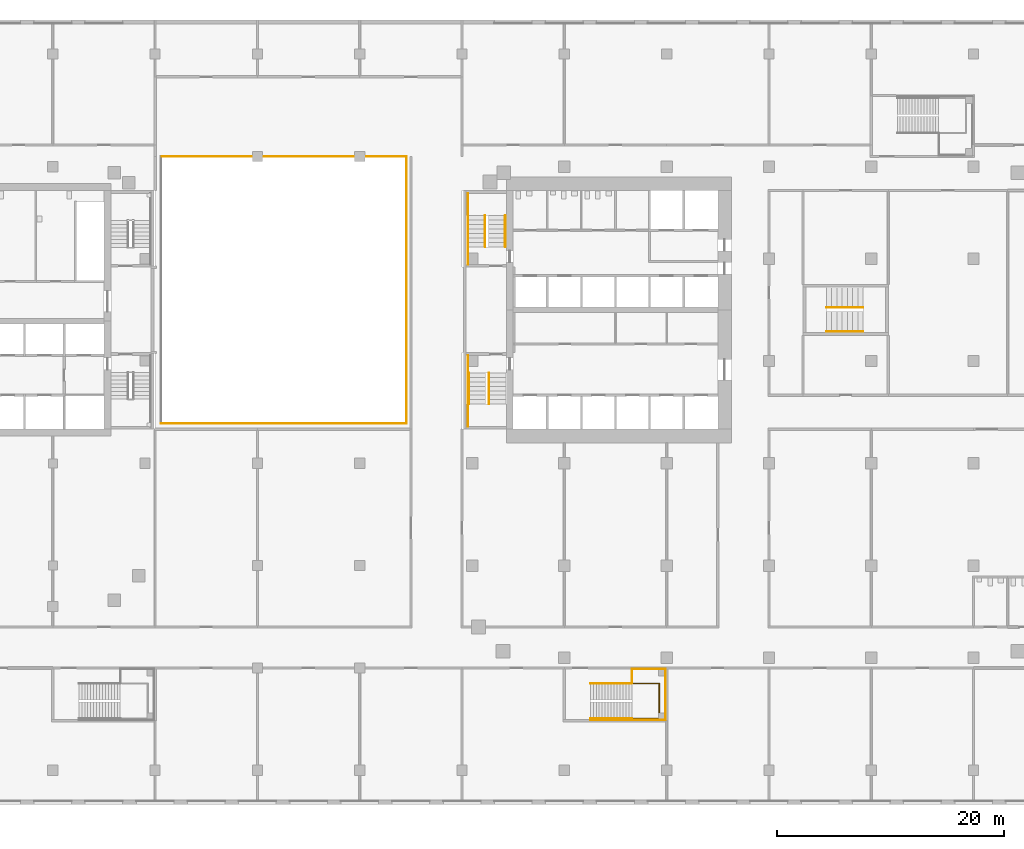
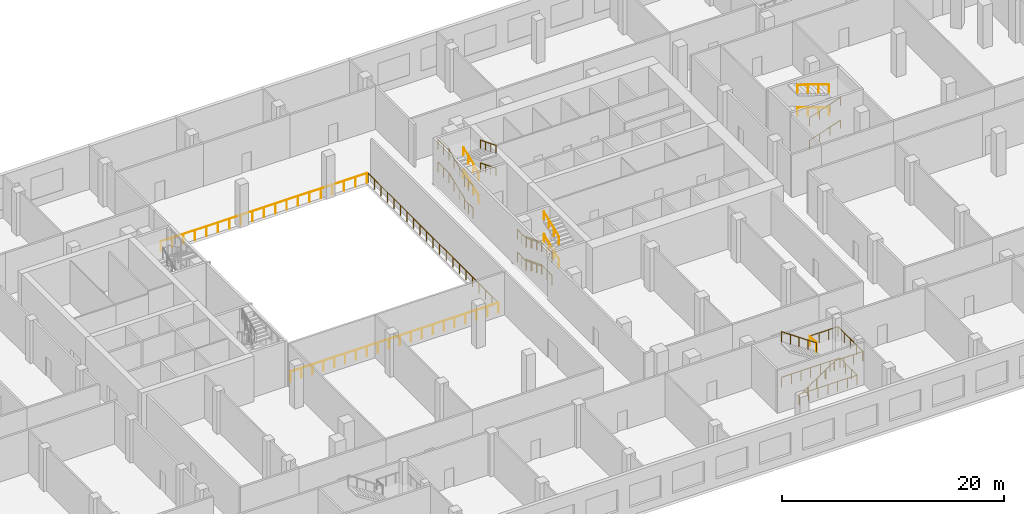
# One storey, part 19 of 21: 25 railings, 3 elements without a shape of their own.
"""IFC4 building model written with IfcOpenShell, lengths in metres."""

from ifc_helpers import new_model, si_unit, direction, frame, origin, origin_2d, place, context, subcontext, project, spatial, circle, extrude, material, type_object, element, aggregate, save


model = new_model("IFC4")

# Units and contexts
model_context = context("Model", 3, precision=1e-05, world=origin(), true_north=direction((0.0, 1.0)))
body_context = subcontext(model_context, "Body", "Model", "MODEL_VIEW")
ifc_project = project(units=[si_unit("LENGTHUNIT", "METRE"), si_unit("AREAUNIT", "SQUARE_METRE"), si_unit("VOLUMEUNIT", "CUBIC_METRE"), si_unit("PLANEANGLEUNIT", "RADIAN"), si_unit("MASSUNIT", "GRAM", prefix="KILO")], contexts=[model_context])

# Site, building, storey
site_placement = place(None, origin())
site = spatial("IfcSite", under=ifc_project, at=site_placement, CompositionType="ELEMENT")
building_placement = place(site_placement, origin())
building = spatial("IfcBuilding", under=site, at=building_placement, Name="Cinnabar Reach Civic Tower", CompositionType="ELEMENT")
storey_placement = place(building_placement, frame((0.0, 0.0, 16.0)))
storey = spatial("IfcBuildingStorey", under=building, at=storey_placement, Name="L03", CompositionType="ELEMENT", Elevation=16.0)

# Railings
ifc_material_1 = material(Name="Stainless steel and glass", Category="steel")
railing_type_1 = type_object("IfcRailingType", Name="Podium guard 1100", PredefinedType="GUARDRAIL", material=ifc_material_1)
railing_1_placement = place(storey_placement, frame((14.94, -1.35, 2.5)))
element("IfcRailing", 1, at=railing_1_placement, inside=storey, type_object=railing_type_1, Name="Stair guard PS3 L03", PredefinedType="GUARDRAIL", context=body_context, shape_type="SweptSolid", body=[
    extrude(circle(Radius=0.024, at=origin_2d()), frame((0.0, 0.0, 1.076), z_axis=(-0.824306135323, 0.0, 0.566144323711), x_axis=(0.0, -1.0, 0.0)), (0.0, 0.0, 1.0), 4.4158),
    extrude(circle(Radius=0.021, at=origin_2d()), origin(), (0.0, 0.0, 1.0), 1.052),
    extrude(circle(Radius=0.021, at=origin_2d()), frame((-0.91, 0.0, 0.625)), (0.0, 0.0, 1.0), 1.052),
    extrude(circle(Radius=0.021, at=origin_2d()), frame((-1.82, 0.0, 1.25)), (0.0, 0.0, 1.0), 1.052),
    extrude(circle(Radius=0.021, at=origin_2d()), frame((-2.73, 0.0, 1.875)), (0.0, 0.0, 1.0), 1.052),
    extrude(circle(Radius=0.021, at=origin_2d()), frame((-3.64, 0.0, 2.5)), (0.0, 0.0, 1.0), 1.052),
])
railing_2_placement = place(storey_placement, frame((14.94, -0.1, 2.5)))
element("IfcRailing", 2, at=railing_2_placement, inside=storey, type_object=railing_type_1, Name="Landing guard PS3 L03", PredefinedType="GUARDRAIL", context=body_context, shape_type="SweptSolid", body=[
    extrude(circle(Radius=0.024, at=origin_2d()), frame((0.0, 0.0, 1.076), z_axis=(1.0, 0.0, 0.0), x_axis=(0.0, 1.0, 0.0)), (0.0, 0.0, 1.0), 2.96),
    extrude(circle(Radius=0.024, at=origin_2d()), frame((2.96, 0.0, 1.076), z_axis=(0.0, -1.0, 0.0), x_axis=(1.0, 0.0, 0.0)), (0.0, 0.0, 1.0), 4.4),
    extrude(circle(Radius=0.021, at=origin_2d()), origin(), (0.0, 0.0, 1.0), 1.052),
    extrude(circle(Radius=0.021, at=origin_2d()), frame((0.9867, 0.0, 0.0)), (0.0, 0.0, 1.0), 1.052),
    extrude(circle(Radius=0.021, at=origin_2d()), frame((1.9733, 0.0, 0.0)), (0.0, 0.0, 1.0), 1.052),
    extrude(circle(Radius=0.021, at=origin_2d()), frame((2.96, 0.0, 0.0)), (0.0, 0.0, 1.0), 1.052),
    extrude(circle(Radius=0.021, at=origin_2d()), frame((2.96, -1.1, 0.0)), (0.0, 0.0, 1.0), 1.052),
    extrude(circle(Radius=0.021, at=origin_2d()), frame((2.96, -2.2, 0.0)), (0.0, 0.0, 1.0), 1.052),
    extrude(circle(Radius=0.021, at=origin_2d()), frame((2.96, -3.3, 0.0)), (0.0, 0.0, 1.0), 1.052),
    extrude(circle(Radius=0.021, at=origin_2d()), frame((2.96, -4.4, 0.0)), (0.0, 0.0, 1.0), 1.052),
])
railing_3_placement = place(storey_placement, frame((14.94, -1.3, 2.5)))
element("IfcRailing", 3, at=railing_3_placement, inside=storey, type_object=railing_type_1, Name="Landing guard PS3 L03 inner", PredefinedType="GUARDRAIL", context=body_context, shape_type="SweptSolid", body=[
    extrude(circle(Radius=0.024, at=origin_2d()), frame((0.0, 0.0, 1.076), z_axis=(0.0, 1.0, 0.0), x_axis=(-1.0, 0.0, 0.0)), (0.0, 0.0, 1.0), 1.2),
    extrude(circle(Radius=0.021, at=origin_2d()), origin(), (0.0, 0.0, 1.0), 1.052),
    extrude(circle(Radius=0.021, at=origin_2d()), frame((0.0, 1.2, 0.0)), (0.0, 0.0, 1.0), 1.052),
])
railing_4_placement = place(storey_placement, frame((11.3, -4.6, 0.0)))
element("IfcRailing", 4, at=railing_4_placement, inside=storey, type_object=railing_type_1, Name="Stair wall side guard PS3 L03", PredefinedType="GUARDRAIL", context=body_context, shape_type="SweptSolid", body=[
    extrude(circle(Radius=0.024, at=origin_2d()), frame((0.0, 0.0, 1.076), z_axis=(0.824306135323, 0.0, 0.566144323711), x_axis=(0.0, 1.0, 0.0)), (0.0, 0.0, 1.0), 4.4158),
    extrude(circle(Radius=0.024, at=origin_2d()), frame((3.64, 0.0, 3.576), z_axis=(1.0, 0.0, 0.0), x_axis=(0.0, 1.0, 0.0)), (0.0, 0.0, 1.0), 2.96),
    extrude(circle(Radius=0.021, at=origin_2d()), origin(), (0.0, 0.0, 1.0), 1.052),
    extrude(circle(Radius=0.021, at=origin_2d()), frame((0.91, 0.0, 0.625)), (0.0, 0.0, 1.0), 1.052),
    extrude(circle(Radius=0.021, at=origin_2d()), frame((1.82, 0.0, 1.25)), (0.0, 0.0, 1.0), 1.052),
    extrude(circle(Radius=0.021, at=origin_2d()), frame((2.73, 0.0, 1.875)), (0.0, 0.0, 1.0), 1.052),
    extrude(circle(Radius=0.021, at=origin_2d()), frame((3.64, 0.0, 2.5)), (0.0, 0.0, 1.0), 1.052),
    extrude(circle(Radius=0.021, at=origin_2d()), frame((4.6267, 0.0, 2.5)), (0.0, 0.0, 1.0), 1.052),
    extrude(circle(Radius=0.021, at=origin_2d()), frame((5.6133, 0.0, 2.5)), (0.0, 0.0, 1.0), 1.052),
    extrude(circle(Radius=0.021, at=origin_2d()), frame((6.6, 0.0, 2.5)), (0.0, 0.0, 1.0), 1.052),
])
railing_5_placement = place(storey_placement, frame((11.3, -4.45, 0.0)))
element("IfcRailing", 5, at=railing_5_placement, inside=storey, type_object=railing_type_1, Name="Stair well guard PS3 L03", PredefinedType="GUARDRAIL", context=body_context, shape_type="SweptSolid", body=[
    extrude(circle(Radius=0.024, at=origin_2d()), frame((0.0, 0.0, 1.076), z_axis=(1.0, 0.0, 0.0), x_axis=(0.0, 1.0, 0.0)), (0.0, 0.0, 1.0), 6.05),
    extrude(circle(Radius=0.024, at=origin_2d()), frame((6.05, 0.0, 1.076), z_axis=(0.0, 1.0, 0.0), x_axis=(-1.0, 0.0, 0.0)), (0.0, 0.0, 1.0), 3.1),
    extrude(circle(Radius=0.024, at=origin_2d()), frame((6.05, 3.1, 1.076), z_axis=(-1.0, 0.0, 0.0), x_axis=(0.0, -1.0, 0.0)), (0.0, 0.0, 1.0), 6.05),
    extrude(circle(Radius=0.021, at=origin_2d()), origin(), (0.0, 0.0, 1.0), 1.052),
    extrude(circle(Radius=0.021, at=origin_2d()), frame((1.0083, 0.0, 0.0)), (0.0, 0.0, 1.0), 1.052),
    extrude(circle(Radius=0.021, at=origin_2d()), frame((2.0167, 0.0, 0.0)), (0.0, 0.0, 1.0), 1.052),
    extrude(circle(Radius=0.021, at=origin_2d()), frame((3.025, 0.0, 0.0)), (0.0, 0.0, 1.0), 1.052),
    extrude(circle(Radius=0.021, at=origin_2d()), frame((4.0333, 0.0, 0.0)), (0.0, 0.0, 1.0), 1.052),
    extrude(circle(Radius=0.021, at=origin_2d()), frame((5.0417, 0.0, 0.0)), (0.0, 0.0, 1.0), 1.052),
    extrude(circle(Radius=0.021, at=origin_2d()), frame((6.05, 0.0, 0.0)), (0.0, 0.0, 1.0), 1.052),
    extrude(circle(Radius=0.021, at=origin_2d()), frame((6.05, 1.0333, 0.0)), (0.0, 0.0, 1.0), 1.052),
    extrude(circle(Radius=0.021, at=origin_2d()), frame((6.05, 2.0667, 0.0)), (0.0, 0.0, 1.0), 1.052),
    extrude(circle(Radius=0.021, at=origin_2d()), frame((6.05, 3.1, 0.0)), (0.0, 0.0, 1.0), 1.052),
    extrude(circle(Radius=0.021, at=origin_2d()), frame((5.0417, 3.1, 0.0)), (0.0, 0.0, 1.0), 1.052),
    extrude(circle(Radius=0.021, at=origin_2d()), frame((4.0333, 3.1, 0.0)), (0.0, 0.0, 1.0), 1.052),
    extrude(circle(Radius=0.021, at=origin_2d()), frame((3.025, 3.1, 0.0)), (0.0, 0.0, 1.0), 1.052),
    extrude(circle(Radius=0.021, at=origin_2d()), frame((2.0167, 3.1, 0.0)), (0.0, 0.0, 1.0), 1.052),
    extrude(circle(Radius=0.021, at=origin_2d()), frame((1.0083, 3.1, 0.0)), (0.0, 0.0, 1.0), 1.052),
    extrude(circle(Radius=0.021, at=origin_2d()), frame((0.0, 3.1, 0.0)), (0.0, 0.0, 1.0), 1.052),
])
railing_6_placement = place(storey_placement, frame((-26.4, 45.0, 0.0)))
element("IfcRailing", 6, at=railing_6_placement, inside=storey, type_object=railing_type_1, Name="Guard L03-chamber-edge", PredefinedType="GUARDRAIL", context=body_context, shape_type="SweptSolid", body=[
    extrude(circle(Radius=0.024, at=origin_2d()), frame((0.0, 0.0, 1.076), z_axis=(1.0, 0.0, 0.0), x_axis=(0.0, 1.0, 0.0)), (0.0, 0.0, 1.0), 21.4),
    extrude(circle(Radius=0.021, at=origin_2d()), origin(), (0.0, 0.0, 1.0), 1.052),
    extrude(circle(Radius=0.021, at=origin_2d()), frame((1.1889, 0.0, 0.0)), (0.0, 0.0, 1.0), 1.052),
    extrude(circle(Radius=0.021, at=origin_2d()), frame((2.3778, 0.0, 0.0)), (0.0, 0.0, 1.0), 1.052),
    extrude(circle(Radius=0.021, at=origin_2d()), frame((3.5667, 0.0, 0.0)), (0.0, 0.0, 1.0), 1.052),
    extrude(circle(Radius=0.021, at=origin_2d()), frame((4.7556, 0.0, 0.0)), (0.0, 0.0, 1.0), 1.052),
    extrude(circle(Radius=0.021, at=origin_2d()), frame((5.9444, 0.0, 0.0)), (0.0, 0.0, 1.0), 1.052),
    extrude(circle(Radius=0.021, at=origin_2d()), frame((7.1333, 0.0, 0.0)), (0.0, 0.0, 1.0), 1.052),
    extrude(circle(Radius=0.021, at=origin_2d()), frame((8.3222, 0.0, 0.0)), (0.0, 0.0, 1.0), 1.052),
    extrude(circle(Radius=0.021, at=origin_2d()), frame((9.5111, 0.0, 0.0)), (0.0, 0.0, 1.0), 1.052),
    extrude(circle(Radius=0.021, at=origin_2d()), frame((10.7, 0.0, 0.0)), (0.0, 0.0, 1.0), 1.052),
    extrude(circle(Radius=0.021, at=origin_2d()), frame((11.8889, 0.0, 0.0)), (0.0, 0.0, 1.0), 1.052),
    extrude(circle(Radius=0.021, at=origin_2d()), frame((13.0778, 0.0, 0.0)), (0.0, 0.0, 1.0), 1.052),
    extrude(circle(Radius=0.021, at=origin_2d()), frame((14.2667, 0.0, 0.0)), (0.0, 0.0, 1.0), 1.052),
    extrude(circle(Radius=0.021, at=origin_2d()), frame((15.4556, 0.0, 0.0)), (0.0, 0.0, 1.0), 1.052),
    extrude(circle(Radius=0.021, at=origin_2d()), frame((16.6444, 0.0, 0.0)), (0.0, 0.0, 1.0), 1.052),
    extrude(circle(Radius=0.021, at=origin_2d()), frame((17.8333, 0.0, 0.0)), (0.0, 0.0, 1.0), 1.052),
    extrude(circle(Radius=0.021, at=origin_2d()), frame((19.0222, 0.0, 0.0)), (0.0, 0.0, 1.0), 1.052),
    extrude(circle(Radius=0.021, at=origin_2d()), frame((20.2111, 0.0, 0.0)), (0.0, 0.0, 1.0), 1.052),
    extrude(circle(Radius=0.021, at=origin_2d()), frame((21.4, 0.0, 0.0)), (0.0, 0.0, 1.0), 1.052),
])
railing_7_placement = place(storey_placement, frame((-26.5, 21.5, 0.0)))
element("IfcRailing", 7, at=railing_7_placement, inside=storey, type_object=railing_type_1, Name="Opening guard L03 cv-s", PredefinedType="GUARDRAIL", context=body_context, shape_type="SweptSolid", body=[
    extrude(circle(Radius=0.024, at=origin_2d()), frame((0.0, 0.0, 1.076), z_axis=(1.0, 0.0, 0.0), x_axis=(0.0, 1.0, 0.0)), (0.0, 0.0, 1.0), 21.6),
    extrude(circle(Radius=0.021, at=origin_2d()), origin(), (0.0, 0.0, 1.0), 1.052),
    extrude(circle(Radius=0.021, at=origin_2d()), frame((1.1368, 0.0, 0.0)), (0.0, 0.0, 1.0), 1.052),
    extrude(circle(Radius=0.021, at=origin_2d()), frame((2.2737, 0.0, 0.0)), (0.0, 0.0, 1.0), 1.052),
    extrude(circle(Radius=0.021, at=origin_2d()), frame((3.4105, 0.0, 0.0)), (0.0, 0.0, 1.0), 1.052),
    extrude(circle(Radius=0.021, at=origin_2d()), frame((4.5474, 0.0, 0.0)), (0.0, 0.0, 1.0), 1.052),
    extrude(circle(Radius=0.021, at=origin_2d()), frame((5.6842, 0.0, 0.0)), (0.0, 0.0, 1.0), 1.052),
    extrude(circle(Radius=0.021, at=origin_2d()), frame((6.8211, 0.0, 0.0)), (0.0, 0.0, 1.0), 1.052),
    extrude(circle(Radius=0.021, at=origin_2d()), frame((7.9579, 0.0, 0.0)), (0.0, 0.0, 1.0), 1.052),
    extrude(circle(Radius=0.021, at=origin_2d()), frame((9.0947, 0.0, 0.0)), (0.0, 0.0, 1.0), 1.052),
    extrude(circle(Radius=0.021, at=origin_2d()), frame((10.2316, 0.0, 0.0)), (0.0, 0.0, 1.0), 1.052),
    extrude(circle(Radius=0.021, at=origin_2d()), frame((11.3684, 0.0, 0.0)), (0.0, 0.0, 1.0), 1.052),
    extrude(circle(Radius=0.021, at=origin_2d()), frame((12.5053, 0.0, 0.0)), (0.0, 0.0, 1.0), 1.052),
    extrude(circle(Radius=0.021, at=origin_2d()), frame((13.6421, 0.0, 0.0)), (0.0, 0.0, 1.0), 1.052),
    extrude(circle(Radius=0.021, at=origin_2d()), frame((14.7789, 0.0, 0.0)), (0.0, 0.0, 1.0), 1.052),
    extrude(circle(Radius=0.021, at=origin_2d()), frame((15.9158, 0.0, 0.0)), (0.0, 0.0, 1.0), 1.052),
    extrude(circle(Radius=0.021, at=origin_2d()), frame((17.0526, 0.0, 0.0)), (0.0, 0.0, 1.0), 1.052),
    extrude(circle(Radius=0.021, at=origin_2d()), frame((18.1895, 0.0, 0.0)), (0.0, 0.0, 1.0), 1.052),
    extrude(circle(Radius=0.021, at=origin_2d()), frame((19.3263, 0.0, 0.0)), (0.0, 0.0, 1.0), 1.052),
    extrude(circle(Radius=0.021, at=origin_2d()), frame((20.4632, 0.0, 0.0)), (0.0, 0.0, 1.0), 1.052),
    extrude(circle(Radius=0.021, at=origin_2d()), frame((21.6, 0.0, 0.0)), (0.0, 0.0, 1.0), 1.052),
])
railing_8_placement = place(storey_placement, frame((-4.9, 21.5, 0.0)))
element("IfcRailing", 8, at=railing_8_placement, inside=storey, type_object=railing_type_1, Name="Opening guard L03 cv-e", PredefinedType="GUARDRAIL", context=body_context, shape_type="SweptSolid", body=[
    extrude(circle(Radius=0.024, at=origin_2d()), frame((0.0, 0.0, 1.076), z_axis=(0.0, 1.0, 0.0), x_axis=(-1.0, 0.0, 0.0)), (0.0, 0.0, 1.0), 23.5),
    extrude(circle(Radius=0.021, at=origin_2d()), origin(), (0.0, 0.0, 1.0), 1.052),
    extrude(circle(Radius=0.021, at=origin_2d()), frame((0.0, 1.175, 0.0)), (0.0, 0.0, 1.0), 1.052),
    extrude(circle(Radius=0.021, at=origin_2d()), frame((0.0, 2.35, 0.0)), (0.0, 0.0, 1.0), 1.052),
    extrude(circle(Radius=0.021, at=origin_2d()), frame((0.0, 3.525, 0.0)), (0.0, 0.0, 1.0), 1.052),
    extrude(circle(Radius=0.021, at=origin_2d()), frame((0.0, 4.7, 0.0)), (0.0, 0.0, 1.0), 1.052),
    extrude(circle(Radius=0.021, at=origin_2d()), frame((0.0, 5.875, 0.0)), (0.0, 0.0, 1.0), 1.052),
    extrude(circle(Radius=0.021, at=origin_2d()), frame((0.0, 7.05, 0.0)), (0.0, 0.0, 1.0), 1.052),
    extrude(circle(Radius=0.021, at=origin_2d()), frame((0.0, 8.225, 0.0)), (0.0, 0.0, 1.0), 1.052),
    extrude(circle(Radius=0.021, at=origin_2d()), frame((0.0, 9.4, 0.0)), (0.0, 0.0, 1.0), 1.052),
    extrude(circle(Radius=0.021, at=origin_2d()), frame((0.0, 10.575, 0.0)), (0.0, 0.0, 1.0), 1.052),
    extrude(circle(Radius=0.021, at=origin_2d()), frame((0.0, 11.75, 0.0)), (0.0, 0.0, 1.0), 1.052),
    extrude(circle(Radius=0.021, at=origin_2d()), frame((0.0, 12.925, 0.0)), (0.0, 0.0, 1.0), 1.052),
    extrude(circle(Radius=0.021, at=origin_2d()), frame((0.0, 14.1, 0.0)), (0.0, 0.0, 1.0), 1.052),
    extrude(circle(Radius=0.021, at=origin_2d()), frame((0.0, 15.275, 0.0)), (0.0, 0.0, 1.0), 1.052),
    extrude(circle(Radius=0.021, at=origin_2d()), frame((0.0, 16.45, 0.0)), (0.0, 0.0, 1.0), 1.052),
    extrude(circle(Radius=0.021, at=origin_2d()), frame((0.0, 17.625, 0.0)), (0.0, 0.0, 1.0), 1.052),
    extrude(circle(Radius=0.021, at=origin_2d()), frame((0.0, 18.8, 0.0)), (0.0, 0.0, 1.0), 1.052),
    extrude(circle(Radius=0.021, at=origin_2d()), frame((0.0, 19.975, 0.0)), (0.0, 0.0, 1.0), 1.052),
    extrude(circle(Radius=0.021, at=origin_2d()), frame((0.0, 21.15, 0.0)), (0.0, 0.0, 1.0), 1.052),
    extrude(circle(Radius=0.021, at=origin_2d()), frame((0.0, 22.325, 0.0)), (0.0, 0.0, 1.0), 1.052),
    extrude(circle(Radius=0.021, at=origin_2d()), frame((0.0, 23.5, 0.0)), (0.0, 0.0, 1.0), 1.052),
])
ifc_material_2 = material(Name="Stainless steel", Category="steel")
railing_type_2 = type_object("IfcRailingType", Name="Podium stair handrail 900", PredefinedType="HANDRAIL", material=ifc_material_2)
railing_9_placement = place(storey_placement, frame((11.3, -4.45, 0.0)))
element("IfcRailing", 9, at=railing_9_placement, inside=storey, type_object=railing_type_2, Name="Stair handrail PS3 L03", PredefinedType="HANDRAIL", context=body_context, shape_type="SweptSolid", body=[
    extrude(circle(Radius=0.024, at=origin_2d()), frame((0.0, 0.0, 0.876), z_axis=(0.824306135323, 0.0, 0.566144323711), x_axis=(0.0, 1.0, 0.0)), (0.0, 0.0, 1.0), 4.4158),
    extrude(circle(Radius=0.021, at=origin_2d()), origin(), (0.0, 0.0, 1.0), 0.852),
    extrude(circle(Radius=0.021, at=origin_2d()), frame((0.91, 0.0, 0.625)), (0.0, 0.0, 1.0), 0.852),
    extrude(circle(Radius=0.021, at=origin_2d()), frame((1.82, 0.0, 1.25)), (0.0, 0.0, 1.0), 0.852),
    extrude(circle(Radius=0.021, at=origin_2d()), frame((2.73, 0.0, 1.875)), (0.0, 0.0, 1.0), 0.852),
    extrude(circle(Radius=0.021, at=origin_2d()), frame((3.64, 0.0, 2.5)), (0.0, 0.0, 1.0), 0.852),
])

# Stair, railings
ifc_material_3 = material(Name="Concrete C40/50", Category="concrete")
stair_type = type_object("IfcStairType", Name="T1 Exit stair, double return", PredefinedType="DOUBLE_RETURN_STAIR", material=ifc_material_3)
stair_1_placement = place(storey_placement, origin())
stair_1 = element("IfcStair", 10, at=stair_1_placement, inside=storey, type_object=stair_type, Name="Stair T1-S1", PredefinedType="DOUBLE_RETURN_STAIR")
ifc_material_4 = material(Name="Stainless steel tube", Category="steel")
railing_type_3 = type_object("IfcRailingType", Name="T1 Stair handrail, stainless tube 48", PredefinedType="HANDRAIL", material=ifc_material_4)
railing_10_placement = place(storey_placement, frame((0.6, 25.95, 0.1562)))
railing_10 = element("IfcRailing", 11, at=railing_10_placement, type_object=railing_type_3, Name="T1-S1 handrail 1", PredefinedType="HANDRAIL", context=body_context, shape_type="SweptSolid", body=[
    extrude(circle(Radius=0.024, at=origin_2d()), frame((0.0, 0.0, 0.876), z_axis=(0.0, -0.928966009512, 0.370165035047), x_axis=(1.0, 0.0, 0.0)), (0.0, 0.0, 1.0), 2.9549),
    extrude(circle(Radius=0.021, at=origin_2d()), origin(), (0.0, 0.0, 1.0), 0.852),
    extrude(circle(Radius=0.021, at=origin_2d()), frame((0.0, -0.915, 0.3646)), (0.0, 0.0, 1.0), 0.852),
    extrude(circle(Radius=0.021, at=origin_2d()), frame((0.0, -1.83, 0.7292)), (0.0, 0.0, 1.0), 0.852),
    extrude(circle(Radius=0.021, at=origin_2d()), frame((0.0, -2.745, 1.0938)), (0.0, 0.0, 1.0), 0.852),
])
railing_11_placement = place(storey_placement, frame((2.375, 23.205, 1.4062)))
railing_11 = element("IfcRailing", 12, at=railing_11_placement, type_object=railing_type_3, Name="T1-S1 handrail 2", PredefinedType="HANDRAIL", context=body_context, shape_type="SweptSolid", body=[
    extrude(circle(Radius=0.024, at=origin_2d()), frame((0.0, 0.0, 0.876), z_axis=(0.0, 0.928966009512, 0.370165035047), x_axis=(-1.0, 0.0, 0.0)), (0.0, 0.0, 1.0), 2.9549),
    extrude(circle(Radius=0.021, at=origin_2d()), origin(), (0.0, 0.0, 1.0), 0.852),
    extrude(circle(Radius=0.021, at=origin_2d()), frame((0.0, 0.915, 0.3646)), (0.0, 0.0, 1.0), 0.852),
    extrude(circle(Radius=0.021, at=origin_2d()), frame((0.0, 1.83, 0.7292)), (0.0, 0.0, 1.0), 0.852),
    extrude(circle(Radius=0.021, at=origin_2d()), frame((0.0, 2.745, 1.0938)), (0.0, 0.0, 1.0), 0.852),
])
railing_12_placement = place(storey_placement, frame((0.6, 25.95, 2.6562)))
railing_12 = element("IfcRailing", 13, at=railing_12_placement, type_object=railing_type_3, Name="T1-S1 handrail 3", PredefinedType="HANDRAIL", context=body_context, shape_type="SweptSolid", body=[
    extrude(circle(Radius=0.024, at=origin_2d()), frame((0.0, 0.0, 0.876), z_axis=(0.0, -0.928966009512, 0.370165035047), x_axis=(1.0, 0.0, 0.0)), (0.0, 0.0, 1.0), 2.9549),
    extrude(circle(Radius=0.021, at=origin_2d()), origin(), (0.0, 0.0, 1.0), 0.852),
    extrude(circle(Radius=0.021, at=origin_2d()), frame((0.0, -0.915, 0.3646)), (0.0, 0.0, 1.0), 0.852),
    extrude(circle(Radius=0.021, at=origin_2d()), frame((0.0, -1.83, 0.7292)), (0.0, 0.0, 1.0), 0.852),
    extrude(circle(Radius=0.021, at=origin_2d()), frame((0.0, -2.745, 1.0938)), (0.0, 0.0, 1.0), 0.852),
])
railing_13_placement = place(storey_placement, frame((2.375, 23.205, 3.9062)))
railing_13 = element("IfcRailing", 14, at=railing_13_placement, type_object=railing_type_3, Name="T1-S1 handrail 4", PredefinedType="HANDRAIL", context=body_context, shape_type="SweptSolid", body=[
    extrude(circle(Radius=0.024, at=origin_2d()), frame((0.0, 0.0, 0.876), z_axis=(0.0, 0.928966009512, 0.370165035047), x_axis=(-1.0, 0.0, 0.0)), (0.0, 0.0, 1.0), 2.9549),
    extrude(circle(Radius=0.021, at=origin_2d()), origin(), (0.0, 0.0, 1.0), 0.852),
    extrude(circle(Radius=0.021, at=origin_2d()), frame((0.0, 0.915, 0.3646)), (0.0, 0.0, 1.0), 0.852),
    extrude(circle(Radius=0.021, at=origin_2d()), frame((0.0, 1.83, 0.7292)), (0.0, 0.0, 1.0), 0.852),
    extrude(circle(Radius=0.021, at=origin_2d()), frame((0.0, 2.745, 1.0938)), (0.0, 0.0, 1.0), 0.852),
])

stair_2_placement = place(storey_placement, origin())
stair_2 = element("IfcStair", 15, at=stair_2_placement, inside=storey, type_object=stair_type, Name="Stair T1-S2", PredefinedType="DOUBLE_RETURN_STAIR")
railing_14_placement = place(storey_placement, frame((2.025, 37.05, 0.1562)))
railing_14 = element("IfcRailing", 16, at=railing_14_placement, type_object=railing_type_3, Name="T1-S2 handrail 1", PredefinedType="HANDRAIL", context=body_context, shape_type="SweptSolid", body=[
    extrude(circle(Radius=0.024, at=origin_2d()), frame((0.0, 0.0, 0.876), z_axis=(0.0, 0.928966009512, 0.370165035047), x_axis=(-1.0, 0.0, 0.0)), (0.0, 0.0, 1.0), 2.9549),
    extrude(circle(Radius=0.021, at=origin_2d()), origin(), (0.0, 0.0, 1.0), 0.852),
    extrude(circle(Radius=0.021, at=origin_2d()), frame((0.0, 0.915, 0.3646)), (0.0, 0.0, 1.0), 0.852),
    extrude(circle(Radius=0.021, at=origin_2d()), frame((0.0, 1.83, 0.7292)), (0.0, 0.0, 1.0), 0.852),
    extrude(circle(Radius=0.021, at=origin_2d()), frame((0.0, 2.745, 1.0938)), (0.0, 0.0, 1.0), 0.852),
])
railing_15_placement = place(storey_placement, frame((3.8, 39.795, 1.4062)))
railing_15 = element("IfcRailing", 17, at=railing_15_placement, type_object=railing_type_3, Name="T1-S2 handrail 2", PredefinedType="HANDRAIL", context=body_context, shape_type="SweptSolid", body=[
    extrude(circle(Radius=0.024, at=origin_2d()), frame((0.0, 0.0, 0.876), z_axis=(0.0, -0.928966009512, 0.370165035047), x_axis=(1.0, 0.0, 0.0)), (0.0, 0.0, 1.0), 2.9549),
    extrude(circle(Radius=0.021, at=origin_2d()), origin(), (0.0, 0.0, 1.0), 0.852),
    extrude(circle(Radius=0.021, at=origin_2d()), frame((0.0, -0.915, 0.3646)), (0.0, 0.0, 1.0), 0.852),
    extrude(circle(Radius=0.021, at=origin_2d()), frame((0.0, -1.83, 0.7292)), (0.0, 0.0, 1.0), 0.852),
    extrude(circle(Radius=0.021, at=origin_2d()), frame((0.0, -2.745, 1.0938)), (0.0, 0.0, 1.0), 0.852),
])
railing_16_placement = place(storey_placement, frame((2.025, 37.05, 2.6562)))
railing_16 = element("IfcRailing", 18, at=railing_16_placement, type_object=railing_type_3, Name="T1-S2 handrail 3", PredefinedType="HANDRAIL", context=body_context, shape_type="SweptSolid", body=[
    extrude(circle(Radius=0.024, at=origin_2d()), frame((0.0, 0.0, 0.876), z_axis=(0.0, 0.928966009512, 0.370165035047), x_axis=(-1.0, 0.0, 0.0)), (0.0, 0.0, 1.0), 2.9549),
    extrude(circle(Radius=0.021, at=origin_2d()), origin(), (0.0, 0.0, 1.0), 0.852),
    extrude(circle(Radius=0.021, at=origin_2d()), frame((0.0, 0.915, 0.3646)), (0.0, 0.0, 1.0), 0.852),
    extrude(circle(Radius=0.021, at=origin_2d()), frame((0.0, 1.83, 0.7292)), (0.0, 0.0, 1.0), 0.852),
    extrude(circle(Radius=0.021, at=origin_2d()), frame((0.0, 2.745, 1.0938)), (0.0, 0.0, 1.0), 0.852),
])
railing_17_placement = place(storey_placement, frame((3.8, 39.795, 3.9062)))
railing_17 = element("IfcRailing", 19, at=railing_17_placement, type_object=railing_type_3, Name="T1-S2 handrail 4", PredefinedType="HANDRAIL", context=body_context, shape_type="SweptSolid", body=[
    extrude(circle(Radius=0.024, at=origin_2d()), frame((0.0, 0.0, 0.876), z_axis=(0.0, -0.928966009512, 0.370165035047), x_axis=(1.0, 0.0, 0.0)), (0.0, 0.0, 1.0), 2.9549),
    extrude(circle(Radius=0.021, at=origin_2d()), origin(), (0.0, 0.0, 1.0), 0.852),
    extrude(circle(Radius=0.021, at=origin_2d()), frame((0.0, -0.915, 0.3646)), (0.0, 0.0, 1.0), 0.852),
    extrude(circle(Radius=0.021, at=origin_2d()), frame((0.0, -1.83, 0.7292)), (0.0, 0.0, 1.0), 0.852),
    extrude(circle(Radius=0.021, at=origin_2d()), frame((0.0, -2.745, 1.0938)), (0.0, 0.0, 1.0), 0.852),
])

stair_3_placement = place(storey_placement, origin())
stair_3 = element("IfcStair", 20, at=stair_3_placement, inside=storey, type_object=stair_type, Name="Stair T1-S3", PredefinedType="DOUBLE_RETURN_STAIR")
railing_18_placement = place(storey_placement, frame((32.05, 29.6, 0.1562)))
railing_18 = element("IfcRailing", 21, at=railing_18_placement, type_object=railing_type_3, Name="T1-S3 handrail 1", PredefinedType="HANDRAIL", context=body_context, shape_type="SweptSolid", body=[
    extrude(circle(Radius=0.024, at=origin_2d()), frame((0.0, 0.0, 0.876), z_axis=(0.947465695108, 0.0, 0.319857400404), x_axis=(0.0, 1.0, 0.0)), (0.0, 0.0, 1.0), 3.4196),
    extrude(circle(Radius=0.021, at=origin_2d()), origin(), (0.0, 0.0, 1.0), 0.852),
    extrude(circle(Radius=0.021, at=origin_2d()), frame((1.08, 0.0, 0.3646)), (0.0, 0.0, 1.0), 0.852),
    extrude(circle(Radius=0.021, at=origin_2d()), frame((2.16, 0.0, 0.7292)), (0.0, 0.0, 1.0), 0.852),
    extrude(circle(Radius=0.021, at=origin_2d()), frame((3.24, 0.0, 1.0938)), (0.0, 0.0, 1.0), 0.852),
])
railing_19_placement = place(storey_placement, frame((35.29, 31.7, 1.4062)))
railing_19 = element("IfcRailing", 22, at=railing_19_placement, type_object=railing_type_3, Name="T1-S3 handrail 2", PredefinedType="HANDRAIL", context=body_context, shape_type="SweptSolid", body=[
    extrude(circle(Radius=0.024, at=origin_2d()), frame((0.0, 0.0, 0.876), z_axis=(-0.947465695108, 0.0, 0.319857400404), x_axis=(0.0, -1.0, 0.0)), (0.0, 0.0, 1.0), 3.4196),
    extrude(circle(Radius=0.021, at=origin_2d()), origin(), (0.0, 0.0, 1.0), 0.852),
    extrude(circle(Radius=0.021, at=origin_2d()), frame((-1.08, 0.0, 0.3646)), (0.0, 0.0, 1.0), 0.852),
    extrude(circle(Radius=0.021, at=origin_2d()), frame((-2.16, 0.0, 0.7292)), (0.0, 0.0, 1.0), 0.852),
    extrude(circle(Radius=0.021, at=origin_2d()), frame((-3.24, 0.0, 1.0938)), (0.0, 0.0, 1.0), 0.852),
])
railing_20_placement = place(storey_placement, frame((32.05, 29.6, 2.6562)))
railing_20 = element("IfcRailing", 23, at=railing_20_placement, type_object=railing_type_3, Name="T1-S3 handrail 3", PredefinedType="HANDRAIL", context=body_context, shape_type="SweptSolid", body=[
    extrude(circle(Radius=0.024, at=origin_2d()), frame((0.0, 0.0, 0.876), z_axis=(0.947465695108, 0.0, 0.319857400404), x_axis=(0.0, 1.0, 0.0)), (0.0, 0.0, 1.0), 3.4196),
    extrude(circle(Radius=0.021, at=origin_2d()), origin(), (0.0, 0.0, 1.0), 0.852),
    extrude(circle(Radius=0.021, at=origin_2d()), frame((1.08, 0.0, 0.3646)), (0.0, 0.0, 1.0), 0.852),
    extrude(circle(Radius=0.021, at=origin_2d()), frame((2.16, 0.0, 0.7292)), (0.0, 0.0, 1.0), 0.852),
    extrude(circle(Radius=0.021, at=origin_2d()), frame((3.24, 0.0, 1.0938)), (0.0, 0.0, 1.0), 0.852),
])
railing_21_placement = place(storey_placement, frame((35.29, 31.7, 3.9062)))
railing_21 = element("IfcRailing", 24, at=railing_21_placement, type_object=railing_type_3, Name="T1-S3 handrail 4", PredefinedType="HANDRAIL", context=body_context, shape_type="SweptSolid", body=[
    extrude(circle(Radius=0.024, at=origin_2d()), frame((0.0, 0.0, 0.876), z_axis=(-0.947465695108, 0.0, 0.319857400404), x_axis=(0.0, -1.0, 0.0)), (0.0, 0.0, 1.0), 3.4196),
    extrude(circle(Radius=0.021, at=origin_2d()), origin(), (0.0, 0.0, 1.0), 0.852),
    extrude(circle(Radius=0.021, at=origin_2d()), frame((-1.08, 0.0, 0.3646)), (0.0, 0.0, 1.0), 0.852),
    extrude(circle(Radius=0.021, at=origin_2d()), frame((-2.16, 0.0, 0.7292)), (0.0, 0.0, 1.0), 0.852),
    extrude(circle(Radius=0.021, at=origin_2d()), frame((-3.24, 0.0, 1.0938)), (0.0, 0.0, 1.0), 0.852),
])
aggregate(stair_3, [railing_18, railing_19, railing_20, railing_21])

# Railing
ifc_material_5 = material(Name="Stainless steel and laminated glass", Category="steel")
railing_type_4 = type_object("IfcRailingType", Name="T1 stair guard, stainless balustrade 1100", PredefinedType="GUARDRAIL", material=ifc_material_5)
railing_22_placement = place(storey_placement, frame((0.53, 27.5, 0.0)))
railing_22 = element("IfcRailing", 25, at=railing_22_placement, type_object=railing_type_4, Name="T1-S1 guard 1", PredefinedType="GUARDRAIL", context=body_context, shape_type="SweptSolid", body=[
    extrude(circle(Radius=0.024, at=origin_2d()), frame((0.0, 0.0, 1.076), z_axis=(0.0, -1.0, 0.0), x_axis=(1.0, 0.0, 0.0)), (0.0, 0.0, 1.0), 1.55),
    extrude(circle(Radius=0.024, at=origin_2d()), frame((0.0, -1.55, 1.076), z_axis=(0.0, 0.0, 1.0), x_axis=(1.0, 0.0, 0.0)), (0.0, 0.0, 1.0), 0.1562),
    extrude(circle(Radius=0.024, at=origin_2d()), frame((0.0, -1.55, 1.2322), z_axis=(0.0, -0.928966009512, 0.370165035047), x_axis=(1.0, 0.0, 0.0)), (0.0, 0.0, 1.0), 2.9549),
    extrude(circle(Radius=0.024, at=origin_2d()), frame((0.0, -4.295, 2.326), z_axis=(0.0, -1.0, 0.0), x_axis=(1.0, 0.0, 0.0)), (0.0, 0.0, 1.0), 1.955),
    extrude(circle(Radius=0.021, at=origin_2d()), origin(), (0.0, 0.0, 1.0), 1.052),
    extrude(circle(Radius=0.021, at=origin_2d()), frame((0.0, -0.775, 0.0)), (0.0, 0.0, 1.0), 1.052),
    extrude(circle(Radius=0.021, at=origin_2d()), frame((0.0, -1.55, 0.0)), (0.0, 0.0, 1.0), 1.052),
    extrude(circle(Radius=0.021, at=origin_2d()), frame((0.0, -1.55, 0.1562)), (0.0, 0.0, 1.0), 1.052),
    extrude(circle(Radius=0.021, at=origin_2d()), frame((0.0, -2.465, 0.5208)), (0.0, 0.0, 1.0), 1.052),
    extrude(circle(Radius=0.021, at=origin_2d()), frame((0.0, -3.38, 0.8854)), (0.0, 0.0, 1.0), 1.052),
    extrude(circle(Radius=0.021, at=origin_2d()), frame((0.0, -4.295, 1.25)), (0.0, 0.0, 1.0), 1.052),
    extrude(circle(Radius=0.021, at=origin_2d()), frame((0.0, -5.2725, 1.25)), (0.0, 0.0, 1.0), 1.052),
    extrude(circle(Radius=0.021, at=origin_2d()), frame((0.0, -6.25, 1.25)), (0.0, 0.0, 1.0), 1.052),
])

railing_23_placement = place(storey_placement, frame((0.53, 27.5, 2.5)))
railing_23 = element("IfcRailing", 26, at=railing_23_placement, type_object=railing_type_4, Name="T1-S1 guard 2", PredefinedType="GUARDRAIL", context=body_context, shape_type="SweptSolid", body=[
    extrude(circle(Radius=0.024, at=origin_2d()), frame((0.0, 0.0, 1.076), z_axis=(0.0, -1.0, 0.0), x_axis=(1.0, 0.0, 0.0)), (0.0, 0.0, 1.0), 1.55),
    extrude(circle(Radius=0.024, at=origin_2d()), frame((0.0, -1.55, 1.076), z_axis=(0.0, 0.0, 1.0), x_axis=(1.0, 0.0, 0.0)), (0.0, 0.0, 1.0), 0.1562),
    extrude(circle(Radius=0.024, at=origin_2d()), frame((0.0, -1.55, 1.2322), z_axis=(0.0, -0.928966009512, 0.370165035047), x_axis=(1.0, 0.0, 0.0)), (0.0, 0.0, 1.0), 2.9549),
    extrude(circle(Radius=0.024, at=origin_2d()), frame((0.0, -4.295, 2.326), z_axis=(0.0, -1.0, 0.0), x_axis=(1.0, 0.0, 0.0)), (0.0, 0.0, 1.0), 1.955),
    extrude(circle(Radius=0.021, at=origin_2d()), origin(), (0.0, 0.0, 1.0), 1.052),
    extrude(circle(Radius=0.021, at=origin_2d()), frame((0.0, -0.775, 0.0)), (0.0, 0.0, 1.0), 1.052),
    extrude(circle(Radius=0.021, at=origin_2d()), frame((0.0, -1.55, 0.0)), (0.0, 0.0, 1.0), 1.052),
    extrude(circle(Radius=0.021, at=origin_2d()), frame((0.0, -1.55, 0.1562)), (0.0, 0.0, 1.0), 1.052),
    extrude(circle(Radius=0.021, at=origin_2d()), frame((0.0, -2.465, 0.5208)), (0.0, 0.0, 1.0), 1.052),
    extrude(circle(Radius=0.021, at=origin_2d()), frame((0.0, -3.38, 0.8854)), (0.0, 0.0, 1.0), 1.052),
    extrude(circle(Radius=0.021, at=origin_2d()), frame((0.0, -4.295, 1.25)), (0.0, 0.0, 1.0), 1.052),
    extrude(circle(Radius=0.021, at=origin_2d()), frame((0.0, -5.2725, 1.25)), (0.0, 0.0, 1.0), 1.052),
    extrude(circle(Radius=0.021, at=origin_2d()), frame((0.0, -6.25, 1.25)), (0.0, 0.0, 1.0), 1.052),
])

aggregate(stair_1, [railing_10, railing_11, railing_12, railing_13, railing_22, railing_23])

railing_24_placement = place(storey_placement, frame((0.53, 35.5, 0.0)))
railing_24 = element("IfcRailing", 27, at=railing_24_placement, type_object=railing_type_4, Name="T1-S2 guard 1", PredefinedType="GUARDRAIL", context=body_context, shape_type="SweptSolid", body=[
    extrude(circle(Radius=0.024, at=origin_2d()), frame((0.0, 0.0, 1.076), z_axis=(0.0, 1.0, 0.0), x_axis=(-1.0, 0.0, 0.0)), (0.0, 0.0, 1.0), 1.55),
    extrude(circle(Radius=0.024, at=origin_2d()), frame((0.0, 1.55, 1.076), z_axis=(0.0, 0.0, 1.0), x_axis=(1.0, 0.0, 0.0)), (0.0, 0.0, 1.0), 0.1562),
    extrude(circle(Radius=0.024, at=origin_2d()), frame((0.0, 1.55, 1.2322), z_axis=(0.0, 0.928966009512, 0.370165035047), x_axis=(-1.0, 0.0, 0.0)), (0.0, 0.0, 1.0), 2.9549),
    extrude(circle(Radius=0.024, at=origin_2d()), frame((0.0, 4.295, 2.326), z_axis=(0.0, 1.0, 0.0), x_axis=(-1.0, 0.0, 0.0)), (0.0, 0.0, 1.0), 1.955),
    extrude(circle(Radius=0.021, at=origin_2d()), origin(), (0.0, 0.0, 1.0), 1.052),
    extrude(circle(Radius=0.021, at=origin_2d()), frame((0.0, 0.775, 0.0)), (0.0, 0.0, 1.0), 1.052),
    extrude(circle(Radius=0.021, at=origin_2d()), frame((0.0, 1.55, 0.0)), (0.0, 0.0, 1.0), 1.052),
    extrude(circle(Radius=0.021, at=origin_2d()), frame((0.0, 1.55, 0.1562)), (0.0, 0.0, 1.0), 1.052),
    extrude(circle(Radius=0.021, at=origin_2d()), frame((0.0, 2.465, 0.5208)), (0.0, 0.0, 1.0), 1.052),
    extrude(circle(Radius=0.021, at=origin_2d()), frame((0.0, 3.38, 0.8854)), (0.0, 0.0, 1.0), 1.052),
    extrude(circle(Radius=0.021, at=origin_2d()), frame((0.0, 4.295, 1.25)), (0.0, 0.0, 1.0), 1.052),
    extrude(circle(Radius=0.021, at=origin_2d()), frame((0.0, 5.2725, 1.25)), (0.0, 0.0, 1.0), 1.052),
    extrude(circle(Radius=0.021, at=origin_2d()), frame((0.0, 6.25, 1.25)), (0.0, 0.0, 1.0), 1.052),
])

railing_25_placement = place(storey_placement, frame((0.53, 35.5, 2.5)))
railing_25 = element("IfcRailing", 28, at=railing_25_placement, type_object=railing_type_4, Name="T1-S2 guard 2", PredefinedType="GUARDRAIL", context=body_context, shape_type="SweptSolid", body=[
    extrude(circle(Radius=0.024, at=origin_2d()), frame((0.0, 0.0, 1.076), z_axis=(0.0, 1.0, 0.0), x_axis=(-1.0, 0.0, 0.0)), (0.0, 0.0, 1.0), 1.55),
    extrude(circle(Radius=0.024, at=origin_2d()), frame((0.0, 1.55, 1.076), z_axis=(0.0, 0.0, 1.0), x_axis=(1.0, 0.0, 0.0)), (0.0, 0.0, 1.0), 0.1562),
    extrude(circle(Radius=0.024, at=origin_2d()), frame((0.0, 1.55, 1.2322), z_axis=(0.0, 0.928966009512, 0.370165035047), x_axis=(-1.0, 0.0, 0.0)), (0.0, 0.0, 1.0), 2.9549),
    extrude(circle(Radius=0.024, at=origin_2d()), frame((0.0, 4.295, 2.326), z_axis=(0.0, 1.0, 0.0), x_axis=(-1.0, 0.0, 0.0)), (0.0, 0.0, 1.0), 1.955),
    extrude(circle(Radius=0.021, at=origin_2d()), origin(), (0.0, 0.0, 1.0), 1.052),
    extrude(circle(Radius=0.021, at=origin_2d()), frame((0.0, 0.775, 0.0)), (0.0, 0.0, 1.0), 1.052),
    extrude(circle(Radius=0.021, at=origin_2d()), frame((0.0, 1.55, 0.0)), (0.0, 0.0, 1.0), 1.052),
    extrude(circle(Radius=0.021, at=origin_2d()), frame((0.0, 1.55, 0.1562)), (0.0, 0.0, 1.0), 1.052),
    extrude(circle(Radius=0.021, at=origin_2d()), frame((0.0, 2.465, 0.5208)), (0.0, 0.0, 1.0), 1.052),
    extrude(circle(Radius=0.021, at=origin_2d()), frame((0.0, 3.38, 0.8854)), (0.0, 0.0, 1.0), 1.052),
    extrude(circle(Radius=0.021, at=origin_2d()), frame((0.0, 4.295, 1.25)), (0.0, 0.0, 1.0), 1.052),
    extrude(circle(Radius=0.021, at=origin_2d()), frame((0.0, 5.2725, 1.25)), (0.0, 0.0, 1.0), 1.052),
    extrude(circle(Radius=0.021, at=origin_2d()), frame((0.0, 6.25, 1.25)), (0.0, 0.0, 1.0), 1.052),
])

aggregate(stair_2, [railing_14, railing_15, railing_16, railing_17, railing_24, railing_25])

save(model, "model.ifc")
